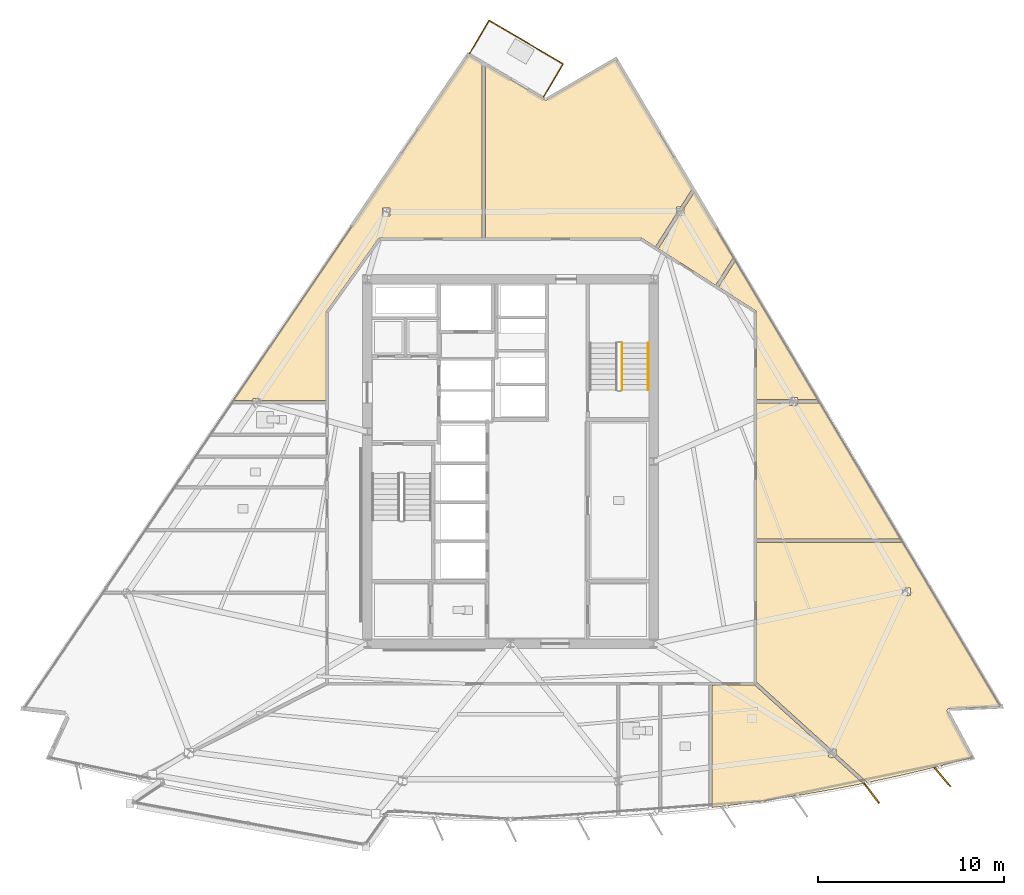
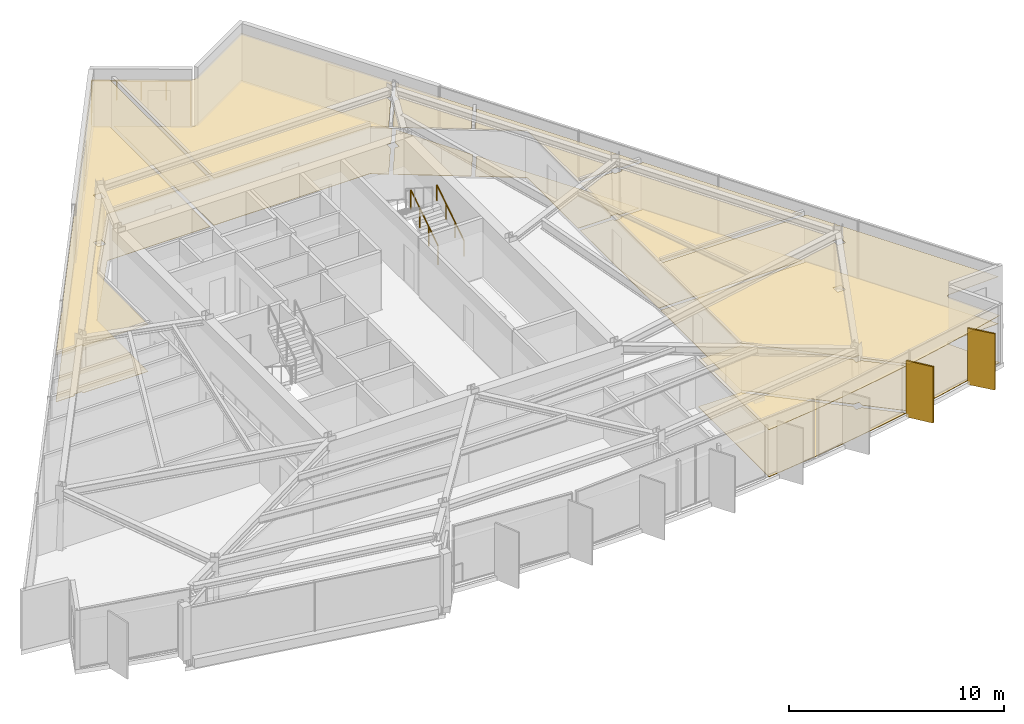
# One storey, part 13 of 14: 14 coverings, 5 railings, 2 shading devices.
"""IFC4 building model written with IfcOpenShell, lengths in metres."""

from ifc_helpers import new_model, si_unit, direction, frame, origin, origin_2d, place, context, subcontext, project, spatial, polyline, rectangle, circle, outline, extrude, material, layer, layer_set, type_object, element, save


model = new_model("IFC4")

# Units and contexts
model_context = context("Model", 3, precision=1e-05, world=origin(), true_north=direction((0.0, 1.0)))
body_context = subcontext(model_context, "Body", "Model", "MODEL_VIEW")
ifc_project = project(units=[si_unit("LENGTHUNIT", "METRE"), si_unit("AREAUNIT", "SQUARE_METRE"), si_unit("VOLUMEUNIT", "CUBIC_METRE"), si_unit("PLANEANGLEUNIT", "RADIAN"), si_unit("MASSUNIT", "GRAM", prefix="KILO")], contexts=[model_context])

# Site, building, storey
site_placement = place(None, origin())
site = spatial("IfcSite", under=ifc_project, at=site_placement, CompositionType="ELEMENT")
building_placement = place(site_placement, origin())
building = spatial("IfcBuilding", under=site, at=building_placement, Name="Savorim Split Tower", CompositionType="ELEMENT")
storey_placement = place(building_placement, frame((0.0, 0.0, 178.199951171875)))
storey = spatial("IfcBuildingStorey", under=building, at=storey_placement, Name="L47", CompositionType="ELEMENT", Elevation=178.199951171875)

# Coverings
ifc_material_1 = material(Name="Mineral Fibre Acoustic Ceiling")
ifc_layer_1 = layer(ifc_material_1, 0.02490234375)
ifc_layer_set_1 = layer_set([ifc_layer_1], Name="COV-CEIL-25")
covering_type_1 = type_object("IfcCoveringType", Name="COV-CEIL-25", PredefinedType="CEILING", material=ifc_layer_set_1)
covering_1_placement = place(storey_placement, frame((0.0, 0.0, 2.670166015625)))
element("IfcCovering", 1, at=covering_1_placement, inside=storey, type_object=covering_type_1, Name="L47 Shared Kitchen Acoustic Ceiling", PredefinedType="CEILING", context=body_context, shape_type="SweptSolid", body=[
    extrude(outline(polyline([(11.6279296875, -18.1171875), (13.5537109375, -17.859619140625), (15.4736328125, -17.5625), (17.38720703125, -17.226318359375), (18.96337890625, -16.916015625), (17.39111328125, -15.490966796875), (17.0908203125, -15.490966796875), (17.0908203125, -15.218994140625), (13.142822265625, -11.640625), (13.118408203125, -11.61865234375), (13.11376953125, -11.619384765625), (13.10009765625, -11.6201171875), (10.845947265625, -11.6201171875), (10.845947265625, -18.205810546875), (11.6279296875, -18.1171875)])), origin(), (0.0, 0.0, 1.0), 0.02490234375),
])
covering_2_placement = place(storey_placement, frame((0.0, 0.0, 2.670166015625)))
element("IfcCovering", 2, at=covering_2_placement, inside=storey, type_object=covering_type_1, Name="L47 Co-Working Commons Acoustic Ceiling", PredefinedType="CEILING", context=body_context, shape_type="SweptSolid", body=[
    extrude(outline(polyline([(23.5703125, -12.8935546875), (23.58154296875, -12.891357421875), (23.593017578125, -12.890380859375), (26.335205078125, -12.773681640625), (21.096923828125, -3.96435546875), (13.239990234375, -3.96435546875), (13.239990234375, -11.472412109375), (17.211669921875, -15.072021484375), (17.511962890625, -15.072021484375), (17.511962890625, -15.343994140625), (19.09716796875, -16.78076171875), (19.16748046875, -16.844482421875), (19.133056640625, -16.882568359375), (19.29345703125, -16.85107421875), (21.19140625, -16.436767578125), (23.080810546875, -15.98388671875), (24.814208984375, -15.530517578125), (23.492431640625, -13.06689453125), (23.4873046875, -13.056396484375), (23.4833984375, -13.045654296875), (23.480712890625, -13.034423828125), (23.478759765625, -13.023193359375), (23.47802734375, -13.01171875), (23.478515625, -13.0), (23.47998046875, -12.988525390625), (23.482666015625, -12.977294921875), (23.486328125, -12.96630859375), (23.4912109375, -12.955810546875), (23.496826171875, -12.94580078125), (23.50341796875, -12.936279296875), (23.510986328125, -12.927734375), (23.519287109375, -12.919677734375), (23.5283203125, -12.91259765625), (23.5380859375, -12.90625), (23.54833984375, -12.90087890625), (23.55908203125, -12.896728515625), (23.5703125, -12.8935546875)]), holes=[polyline([(21.522216796875, -6.8232421875), (21.522216796875, -6.404296875), (21.10107421875, -6.404296875), (21.10107421875, -6.8232421875), (21.522216796875, -6.8232421875)])]), origin(), (0.0, 0.0, 1.0), 0.02490234375),
])
covering_3_placement = place(storey_placement, frame((0.0, 0.0, 2.670166015625)))
element("IfcCovering", 3, at=covering_3_placement, inside=storey, type_object=covering_type_1, Name="L47 Maker Workshop Acoustic Ceiling", PredefinedType="CEILING", context=body_context, shape_type="SweptSolid", body=[
    extrude(outline(polyline([(15.010986328125, 3.418701171875), (15.010986328125, 3.533203125), (13.239990234375, 3.533203125), (13.239990234375, -3.7744140625), (20.98388671875, -3.7744140625), (16.618896484375, 3.56640625), (16.618896484375, 3.533203125), (15.431884765625, 3.533203125), (15.431884765625, 3.418701171875), (15.010986328125, 3.418701171875)])), origin(), (0.0, 0.0, 1.0), 0.02490234375),
])
covering_4_placement = place(storey_placement, frame((0.0, 0.0, 2.670166015625)))
element("IfcCovering", 4, at=covering_4_placement, inside=storey, type_object=covering_type_1, Name="L47 Co-Living Bedroom Acoustic Ceiling", PredefinedType="CEILING", context=body_context, shape_type="SweptSolid", body=[
    extrude(outline(polyline([(15.431884765625, 3.837890625), (15.431884765625, 3.723388671875), (16.52392578125, 3.723388671875), (16.525634765625, 3.723388671875), (12.090087890625, 11.1826171875), (11.196044921875, 9.777099609375), (13.175048828125, 8.51806640625), (13.1865234375, 8.510009765625), (13.197265625, 8.500732421875), (13.206787109375, 8.490478515625), (13.21533203125, 8.479248046875), (13.22265625, 8.46728515625), (13.22900390625, 8.45458984375), (13.233642578125, 8.44140625), (13.2373046875, 8.427978515625), (13.2392578125, 8.4140625), (13.239990234375, 8.39990234375), (13.239990234375, 3.723388671875), (15.010986328125, 3.723388671875), (15.010986328125, 3.837890625), (15.431884765625, 3.837890625)])), origin(), (0.0, 0.0, 1.0), 0.02490234375),
])
covering_5_placement = place(storey_placement, frame((0.0, 0.0, 2.670166015625)))
element("IfcCovering", 5, at=covering_5_placement, inside=storey, type_object=covering_type_1, Name="L47 Quiet Study Room Acoustic Ceiling", PredefinedType="CEILING", context=body_context, shape_type="SweptSolid", body=[
    extrude(outline(polyline([(9.110595703125, 13.660888671875), (7.952392578125, 11.840087890625), (7.952392578125, 11.840087890625), (11.03564453125, 9.87890625), (11.981201171875, 11.36572265625), (9.888916015625, 14.884521484375), (9.341796875, 14.0244140625), (9.341796875, 13.660888671875), (9.110595703125, 13.660888671875)])), origin(), (0.0, 0.0, 1.0), 0.02490234375),
])
covering_6_placement = place(storey_placement, frame((0.0, 0.0, 2.670166015625)))
element("IfcCovering", 6, at=covering_6_placement, inside=storey, type_object=covering_type_1, Name="L47 Co-Working Commons Acoustic Ceiling", PredefinedType="CEILING", context=body_context, shape_type="SweptSolid", body=[
    extrude(outline(polyline([(1.85205078125, 19.838134765625), (1.84130859375, 19.842529296875), (1.831298828125, 19.847900390625), (-1.341064453125, 21.71240234375), (-1.341064453125, 12.419921875), (7.0, 12.419921875), (7.01318359375, 12.41943359375), (7.0263671875, 12.41748046875), (7.0390625, 12.414306640625), (7.051513671875, 12.41015625), (7.063720703125, 12.40478515625), (7.0751953125, 12.398193359375), (7.7919921875, 11.942138671875), (8.9208984375, 13.71630859375), (8.9208984375, 14.079833984375), (9.152099609375, 14.079833984375), (9.724365234375, 14.979736328125), (9.775390625, 15.059814453125), (9.790283203125, 15.05029296875), (5.65478515625, 22.00537109375), (1.952392578125, 19.84765625), (1.942138671875, 19.84228515625), (1.931396484375, 19.838134765625), (1.92041015625, 19.834716796875), (1.9091796875, 19.83251953125), (1.897705078125, 19.83154296875), (1.885986328125, 19.83154296875), (1.87451171875, 19.832763671875), (1.86328125, 19.8349609375), (1.85205078125, 19.838134765625)])), origin(), (0.0, 0.0, 1.0), 0.02490234375),
])
covering_7_placement = place(storey_placement, frame((0.0, 0.0, 2.670166015625)))
element("IfcCovering", 7, at=covering_7_placement, inside=storey, type_object=covering_type_1, Name="L47 Maker Workshop Acoustic Ceiling", PredefinedType="CEILING", context=body_context, shape_type="SweptSolid", body=[
    extrude(outline(polyline([(-7.0, 12.419921875), (-1.531005859375, 12.419921875), (-1.531005859375, 21.82421875), (-2.259521484375, 22.252197265625), (-14.8974609375, 3.674560546875), (-13.8544921875, 3.674560546875), (-13.8544921875, 3.7890625), (-13.43359375, 3.7890625), (-13.43359375, 3.674560546875), (-9.919921875, 3.674560546875), (-9.919921875, 8.39990234375), (-9.919189453125, 8.41455078125), (-9.9169921875, 8.4287109375), (-9.913330078125, 8.44287109375), (-9.908203125, 8.456298828125), (-9.901611328125, 8.46923828125), (-9.893798828125, 8.4814453125), (-7.11376953125, 12.361572265625), (-7.105712890625, 12.3720703125), (-7.096435546875, 12.381591796875), (-7.086181640625, 12.39013671875), (-7.075439453125, 12.39794921875), (-7.06396484375, 12.404541015625), (-7.052001953125, 12.409912109375), (-7.039306640625, 12.414306640625), (-7.0263671875, 12.41748046875), (-7.01318359375, 12.41943359375), (-7.0, 12.419921875)]), holes=[polyline([(-6.46630859375, 14.031005859375), (-6.88720703125, 14.031005859375), (-6.88720703125, 13.612060546875), (-6.46630859375, 13.612060546875), (-6.46630859375, 14.031005859375)])]), origin(), (0.0, 0.0, 1.0), 0.02490234375),
])
ifc_material_2 = material(Name="Porcelain Stoneware Flooring", Category="masonry")
ifc_layer_2 = layer(ifc_material_2, 0.02001953125)
ifc_layer_set_2 = layer_set([ifc_layer_2], Name="COV-FLOR-20")
covering_type_2 = type_object("IfcCoveringType", Name="COV-FLOR-20", PredefinedType="FLOORING", material=ifc_layer_set_2)
covering_8_placement = place(storey_placement, origin())
element("IfcCovering", 8, at=covering_8_placement, inside=storey, type_object=covering_type_2, Name="L47 Shared Kitchen Porcelain Flooring", PredefinedType="FLOORING", context=body_context, shape_type="SweptSolid", body=[
    extrude(outline(polyline([(11.6279296875, -18.1171875), (13.5537109375, -17.859619140625), (15.4736328125, -17.5625), (17.38720703125, -17.226318359375), (18.96337890625, -16.916015625), (17.39111328125, -15.490966796875), (17.0908203125, -15.490966796875), (17.0908203125, -15.218994140625), (13.142822265625, -11.640625), (13.118408203125, -11.61865234375), (13.11376953125, -11.619384765625), (13.10009765625, -11.6201171875), (10.845947265625, -11.6201171875), (10.845947265625, -18.205810546875), (11.6279296875, -18.1171875)])), origin(), (0.0, 0.0, 1.0), 0.02001953125),
])
covering_9_placement = place(storey_placement, origin())
element("IfcCovering", 9, at=covering_9_placement, inside=storey, type_object=covering_type_2, Name="L47 Co-Working Commons Porcelain Flooring", PredefinedType="FLOORING", context=body_context, shape_type="SweptSolid", body=[
    extrude(outline(polyline([(23.5703125, -12.8935546875), (23.58154296875, -12.891357421875), (23.593017578125, -12.890380859375), (26.335205078125, -12.773681640625), (21.096923828125, -3.96435546875), (13.239990234375, -3.96435546875), (13.239990234375, -11.472412109375), (17.211669921875, -15.072021484375), (17.511962890625, -15.072021484375), (17.511962890625, -15.343994140625), (19.09716796875, -16.78076171875), (19.16748046875, -16.844482421875), (19.133056640625, -16.882568359375), (19.29345703125, -16.85107421875), (21.19140625, -16.436767578125), (23.080810546875, -15.98388671875), (24.814208984375, -15.530517578125), (23.492431640625, -13.06689453125), (23.4873046875, -13.056396484375), (23.4833984375, -13.045654296875), (23.480712890625, -13.034423828125), (23.478759765625, -13.023193359375), (23.47802734375, -13.01171875), (23.478515625, -13.0), (23.47998046875, -12.988525390625), (23.482666015625, -12.977294921875), (23.486328125, -12.96630859375), (23.4912109375, -12.955810546875), (23.496826171875, -12.94580078125), (23.50341796875, -12.936279296875), (23.510986328125, -12.927734375), (23.519287109375, -12.919677734375), (23.5283203125, -12.91259765625), (23.5380859375, -12.90625), (23.54833984375, -12.90087890625), (23.55908203125, -12.896728515625), (23.5703125, -12.8935546875)]), holes=[polyline([(21.522216796875, -6.8232421875), (21.522216796875, -6.404296875), (21.10107421875, -6.404296875), (21.10107421875, -6.8232421875), (21.522216796875, -6.8232421875)])]), origin(), (0.0, 0.0, 1.0), 0.02001953125),
])
covering_10_placement = place(storey_placement, origin())
element("IfcCovering", 10, at=covering_10_placement, inside=storey, type_object=covering_type_2, Name="L47 Maker Workshop Porcelain Flooring", PredefinedType="FLOORING", context=body_context, shape_type="SweptSolid", body=[
    extrude(outline(polyline([(15.010986328125, 3.418701171875), (15.010986328125, 3.533203125), (13.239990234375, 3.533203125), (13.239990234375, -3.7744140625), (20.98388671875, -3.7744140625), (16.618896484375, 3.56640625), (16.618896484375, 3.533203125), (15.431884765625, 3.533203125), (15.431884765625, 3.418701171875), (15.010986328125, 3.418701171875)])), origin(), (0.0, 0.0, 1.0), 0.02001953125),
])
covering_11_placement = place(storey_placement, origin())
element("IfcCovering", 11, at=covering_11_placement, inside=storey, type_object=covering_type_2, Name="L47 Co-Living Bedroom Porcelain Flooring", PredefinedType="FLOORING", context=body_context, shape_type="SweptSolid", body=[
    extrude(outline(polyline([(15.431884765625, 3.837890625), (15.431884765625, 3.723388671875), (16.52392578125, 3.723388671875), (16.525634765625, 3.723388671875), (12.090087890625, 11.1826171875), (11.196044921875, 9.777099609375), (13.175048828125, 8.51806640625), (13.1865234375, 8.510009765625), (13.197265625, 8.500732421875), (13.206787109375, 8.490478515625), (13.21533203125, 8.479248046875), (13.22265625, 8.46728515625), (13.22900390625, 8.45458984375), (13.233642578125, 8.44140625), (13.2373046875, 8.427978515625), (13.2392578125, 8.4140625), (13.239990234375, 8.39990234375), (13.239990234375, 3.723388671875), (15.010986328125, 3.723388671875), (15.010986328125, 3.837890625), (15.431884765625, 3.837890625)])), origin(), (0.0, 0.0, 1.0), 0.02001953125),
])
covering_12_placement = place(storey_placement, origin())
element("IfcCovering", 12, at=covering_12_placement, inside=storey, type_object=covering_type_2, Name="L47 Quiet Study Room Porcelain Flooring", PredefinedType="FLOORING", context=body_context, shape_type="SweptSolid", body=[
    extrude(outline(polyline([(9.110595703125, 13.660888671875), (7.952392578125, 11.840087890625), (7.952392578125, 11.840087890625), (11.03564453125, 9.87890625), (11.981201171875, 11.36572265625), (9.888916015625, 14.884521484375), (9.341796875, 14.0244140625), (9.341796875, 13.660888671875), (9.110595703125, 13.660888671875)])), origin(), (0.0, 0.0, 1.0), 0.02001953125),
])
covering_13_placement = place(storey_placement, origin())
element("IfcCovering", 13, at=covering_13_placement, inside=storey, type_object=covering_type_2, Name="L47 Co-Working Commons Porcelain Flooring", PredefinedType="FLOORING", context=body_context, shape_type="SweptSolid", body=[
    extrude(outline(polyline([(1.85205078125, 19.838134765625), (1.84130859375, 19.842529296875), (1.831298828125, 19.847900390625), (-1.341064453125, 21.71240234375), (-1.341064453125, 12.419921875), (7.0, 12.419921875), (7.01318359375, 12.41943359375), (7.0263671875, 12.41748046875), (7.0390625, 12.414306640625), (7.051513671875, 12.41015625), (7.063720703125, 12.40478515625), (7.0751953125, 12.398193359375), (7.7919921875, 11.942138671875), (8.9208984375, 13.71630859375), (8.9208984375, 14.079833984375), (9.152099609375, 14.079833984375), (9.724365234375, 14.979736328125), (9.775390625, 15.059814453125), (9.790283203125, 15.05029296875), (5.65478515625, 22.00537109375), (1.952392578125, 19.84765625), (1.942138671875, 19.84228515625), (1.931396484375, 19.838134765625), (1.92041015625, 19.834716796875), (1.9091796875, 19.83251953125), (1.897705078125, 19.83154296875), (1.885986328125, 19.83154296875), (1.87451171875, 19.832763671875), (1.86328125, 19.8349609375), (1.85205078125, 19.838134765625)])), origin(), (0.0, 0.0, 1.0), 0.02001953125),
])
covering_14_placement = place(storey_placement, origin())
element("IfcCovering", 14, at=covering_14_placement, inside=storey, type_object=covering_type_2, Name="L47 Maker Workshop Porcelain Flooring", PredefinedType="FLOORING", context=body_context, shape_type="SweptSolid", body=[
    extrude(outline(polyline([(-7.0, 12.419921875), (-1.531005859375, 12.419921875), (-1.531005859375, 21.82421875), (-2.259521484375, 22.252197265625), (-14.8974609375, 3.674560546875), (-13.8544921875, 3.674560546875), (-13.8544921875, 3.7890625), (-13.43359375, 3.7890625), (-13.43359375, 3.674560546875), (-9.919921875, 3.674560546875), (-9.919921875, 8.39990234375), (-9.919189453125, 8.41455078125), (-9.9169921875, 8.4287109375), (-9.913330078125, 8.44287109375), (-9.908203125, 8.456298828125), (-9.901611328125, 8.46923828125), (-9.893798828125, 8.4814453125), (-7.11376953125, 12.361572265625), (-7.105712890625, 12.3720703125), (-7.096435546875, 12.381591796875), (-7.086181640625, 12.39013671875), (-7.075439453125, 12.39794921875), (-7.06396484375, 12.404541015625), (-7.052001953125, 12.409912109375), (-7.039306640625, 12.414306640625), (-7.0263671875, 12.41748046875), (-7.01318359375, 12.41943359375), (-7.0, 12.419921875)]), holes=[polyline([(-6.46630859375, 14.031005859375), (-6.88720703125, 14.031005859375), (-6.88720703125, 13.612060546875), (-6.46630859375, 13.612060546875), (-6.46630859375, 14.031005859375)])]), origin(), (0.0, 0.0, 1.0), 0.02001953125),
])

# Railings
ifc_material_3 = material(Name="Galvanised Painted Steel Balustrade", Category="steel")
railing_type_1 = type_object("IfcRailingType", Name="RLG-BAL-1100", PredefinedType="BALUSTRADE", material=ifc_material_3)
railing_1_placement = place(storey_placement, frame((-2.19189453125, 22.351806640625, 0.0)))
element("IfcRailing", 15, at=railing_1_placement, inside=storey, type_object=railing_type_1, Name="L47 Tree Balcony Guardrail N-1", PredefinedType="BALUSTRADE", context=body_context, shape_type="SweptSolid", body=[
    extrude(circle(Radius=0.02392578125, at=origin_2d()), frame((0.0, 0.0, 1.076171875), z_axis=(0.50664533146, 0.862154573211, 0.0), x_axis=(-0.862154573211, 0.50664533146, 0.0)), (0.0, 0.0, 1.0), 2.0498046875),
    extrude(circle(Radius=0.02099609375, at=origin_2d()), origin(), (0.0, 0.0, 1.0), 1.052001953125),
    extrude(circle(Radius=0.02099609375, at=origin_2d()), frame((0.519287109375, 0.8837890625, 0.0)), (0.0, 0.0, 1.0), 1.052001953125),
    extrude(circle(Radius=0.02099609375, at=origin_2d()), frame((1.03857421875, 1.767333984375, 0.0)), (0.0, 0.0, 1.0), 1.052001953125),
])
railing_2_placement = place(storey_placement, frame((-1.1533203125, 24.119140625, 0.0)))
element("IfcRailing", 16, at=railing_2_placement, inside=storey, type_object=railing_type_1, Name="L47 Tree Balcony Guardrail N-2", PredefinedType="BALUSTRADE", context=body_context, shape_type="SweptSolid", body=[
    extrude(circle(Radius=0.02392578125, at=origin_2d()), frame((0.0, 0.0, 1.076171875), z_axis=(0.862109514664, -0.506721999449, 0.0), x_axis=(0.506721999449, 0.862109514664, 0.0)), (0.0, 0.0, 1.0), 4.6171875),
    extrude(circle(Radius=0.02099609375, at=origin_2d()), origin(), (0.0, 0.0, 1.0), 1.052001953125),
    extrude(circle(Radius=0.02099609375, at=origin_2d()), frame((0.9951171875, -0.5849609375, 0.0)), (0.0, 0.0, 1.0), 1.052001953125),
    extrude(circle(Radius=0.02099609375, at=origin_2d()), frame((1.990234375, -1.169921875, 0.0)), (0.0, 0.0, 1.0), 1.052001953125),
    extrude(circle(Radius=0.02099609375, at=origin_2d()), frame((2.9853515625, -1.754638671875, 0.0)), (0.0, 0.0, 1.0), 1.052001953125),
    extrude(circle(Radius=0.02099609375, at=origin_2d()), frame((3.98046875, -2.339599609375, 0.0)), (0.0, 0.0, 1.0), 1.052001953125),
])
railing_3_placement = place(storey_placement, frame((2.8271484375, 21.779541015625, 0.0)))
element("IfcRailing", 17, at=railing_3_placement, inside=storey, type_object=railing_type_1, Name="L47 Tree Balcony Guardrail N-3", PredefinedType="BALUSTRADE", context=body_context, shape_type="SweptSolid", body=[
    extrude(circle(Radius=0.02392578125, at=origin_2d()), frame((0.0, 0.0, 1.076171875), z_axis=(-0.50664533146, -0.862154573211, 0.0), x_axis=(0.862154573211, -0.50664533146, 0.0)), (0.0, 0.0, 1.0), 2.0498046875),
    extrude(circle(Radius=0.02099609375, at=origin_2d()), origin(), (0.0, 0.0, 1.0), 1.052001953125),
    extrude(circle(Radius=0.02099609375, at=origin_2d()), frame((-0.519287109375, -0.8837890625, 0.0)), (0.0, 0.0, 1.0), 1.052001953125),
    extrude(circle(Radius=0.02099609375, at=origin_2d()), frame((-1.03857421875, -1.767333984375, 0.0)), (0.0, 0.0, 1.0), 1.052001953125),
])
railing_type_2 = type_object("IfcRailingType", Name="RLG-HR-900", PredefinedType="HANDRAIL", material=ifc_material_3)
railing_4_placement = place(storey_placement, frame((7.39990234375, 4.25, 0.179931640625)))
element("IfcRailing", 18, at=railing_4_placement, inside=storey, type_object=railing_type_2, Name="L47 ST-2 stair handrail 1", PredefinedType="HANDRAIL", context=body_context, shape_type="SweptSolid", body=[
    extrude(circle(Radius=0.02392578125, at=origin_2d()), frame((0.0, 0.0, 0.8759765625), z_axis=(0.0, 0.841162588446, 0.540782303519), x_axis=(-1.0, 0.0, 0.0)), (0.0, 0.0, 1.0), 2.995849609375),
    extrude(circle(Radius=0.02099609375, at=origin_2d()), origin(), (0.0, 0.0, 1.0), 0.851806640625),
    extrude(circle(Radius=0.02099609375, at=origin_2d()), frame((0.0, 0.840087890625, 0.5400390625)), (0.0, 0.0, 1.0), 0.851806640625),
    extrude(circle(Radius=0.02099609375, at=origin_2d()), frame((0.0, 1.679931640625, 1.080078125)), (0.0, 0.0, 1.0), 0.851806640625),
    extrude(circle(Radius=0.02099609375, at=origin_2d()), frame((0.0, 2.52001953125, 1.6201171875)), (0.0, 0.0, 1.0), 0.851806640625),
])
railing_type_3 = type_object("IfcRailingType", Name="RLG-STG-1100", PredefinedType="BALUSTRADE", material=ifc_material_3)
railing_5_placement = place(storey_placement, frame((6.0, 4.25, 0.179931640625)))
element("IfcRailing", 19, at=railing_5_placement, inside=storey, type_object=railing_type_3, Name="L47 ST-2 stair guard 1", PredefinedType="BALUSTRADE", context=body_context, shape_type="SweptSolid", body=[
    extrude(circle(Radius=0.02392578125, at=origin_2d()), frame((0.0, 0.0, 1.076171875), z_axis=(0.0, 0.841162588446, 0.540782303519), x_axis=(-1.0, 0.0, 0.0)), (0.0, 0.0, 1.0), 2.995849609375),
    extrude(circle(Radius=0.02099609375, at=origin_2d()), origin(), (0.0, 0.0, 1.0), 1.052001953125),
    extrude(circle(Radius=0.02099609375, at=origin_2d()), frame((0.0, 0.840087890625, 0.5400390625)), (0.0, 0.0, 1.0), 1.052001953125),
    extrude(circle(Radius=0.02099609375, at=origin_2d()), frame((0.0, 1.679931640625, 1.080078125)), (0.0, 0.0, 1.0), 1.052001953125),
    extrude(circle(Radius=0.02099609375, at=origin_2d()), frame((0.0, 2.52001953125, 1.6201171875)), (0.0, 0.0, 1.0), 1.052001953125),
])

# Shading devices
ifc_material_4 = material(Name="Terracotta Ceramic-Coated Aluminium Fin", Category="masonry")
shading_device_type = type_object("IfcShadingDeviceType", Name="SHD-FIN-1360", PredefinedType="USERDEFINED", material=ifc_material_4)
for number, where, z_axis, x_axis, name in (
    (20, (19.41455078125, -17.4345703125, -0.19970703125), (0.0, 0.0, 1.0), (0.611868076908, -0.790959832394, 0.0), "L47 Sawtooth Shading Fin 12"),
    (21, (23.2255859375, -16.56201171875, -0.19970703125), (0.0, 0.0, 1.0), (0.643719022682, -0.765261928909, 0.0), "L47 Sawtooth Shading Fin 13"),
):
    element("IfcShadingDevice", number, at=place(storey_placement, frame(where, z_axis=z_axis, x_axis=x_axis)), inside=storey, type_object=shading_device_type, Name=name, ObjectType="FIN", PredefinedType="USERDEFINED", context=body_context, shape_type="SweptSolid", body=[
        extrude(rectangle(XDim=1.360107421875, YDim=0.080078125, at=origin_2d()), origin(), (0.0, 0.0, 1.0), 3.199951171875),
    ])

save(model, "model.ifc")
